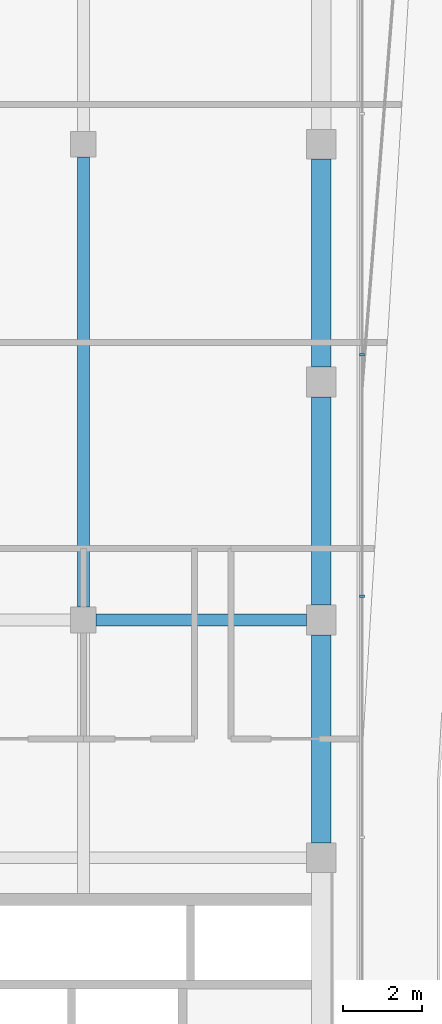
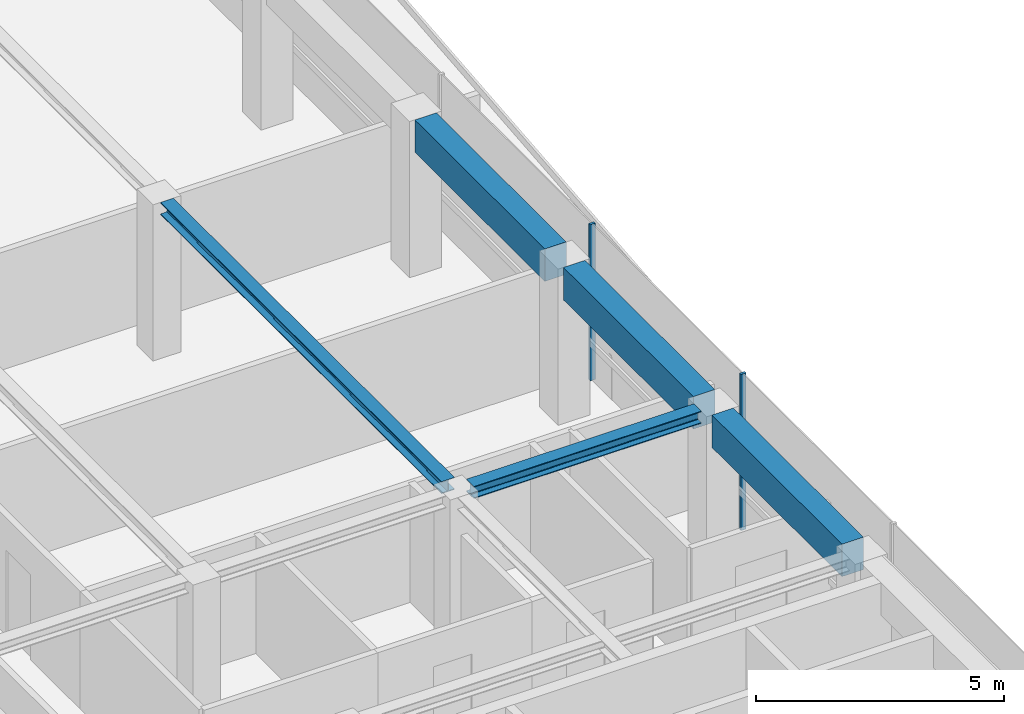
# One storey, part 7 of 18: 5 beams, 2 members, 1 element without a shape of its own.
"""IFC4 building model written with IfcOpenShell, lengths in metres."""

from ifc_helpers import new_model, si_unit, direction, frame, origin, origin_2d, place, context, subcontext, project, spatial, rectangle, i_section, extrude, material, layer, layer_set, material_profile, profile_set, type_object, element, aggregate, save


model = new_model("IFC4")

# Units and contexts
model_context = context("Model", 3, precision=1e-05, world=origin(), true_north=direction((0.0, 1.0)))
body_context = subcontext(model_context, "Body", "Model", "MODEL_VIEW")
ifc_project = project(units=[si_unit("LENGTHUNIT", "METRE"), si_unit("AREAUNIT", "SQUARE_METRE"), si_unit("VOLUMEUNIT", "CUBIC_METRE"), si_unit("PLANEANGLEUNIT", "RADIAN"), si_unit("MASSUNIT", "GRAM", prefix="KILO")], contexts=[model_context])

# Site, building, storey
site_placement = place(None, origin())
site = spatial("IfcSite", under=ifc_project, at=site_placement, CompositionType="ELEMENT")
building_placement = place(site_placement, origin())
building = spatial("IfcBuilding", under=site, at=building_placement, Name="Welwitschia Terrace Campus", CompositionType="ELEMENT")
storey_placement = place(building_placement, frame((0.0, 0.0, 272.60009765625)))
storey = spatial("IfcBuildingStorey", under=building, at=storey_placement, Name="L60", CompositionType="ELEMENT", Elevation=272.60009765625)

# Beams
ifc_material_1 = material(Name="Steel S355", Category="steel")
ifc_material_profile_1 = material_profile(ifc_material_1, i_section(OverallWidth=0.300048828125, OverallDepth=0.300048828125, WebThickness=0.010986328125, FlangeThickness=0.01904296875, FilletRadius=0.027099609375, at=origin_2d()))
ifc_profile_set_1 = profile_set([ifc_material_profile_1], Name="Steel S355")
beam_type_1 = type_object("IfcBeamType", Name="Interior girder HE 300 B", PredefinedType="BEAM", material=ifc_profile_set_1)
beam_1_placement = place(storey_placement, frame((18.325439453125, 32.0, 3.699951171875), z_axis=(1.0, 0.0, 0.0), x_axis=(0.0, 1.0, 0.0)))
element("IfcBeam", 1, at=beam_1_placement, inside=storey, type_object=beam_type_1, Name="Girder GB6", PredefinedType="BEAM", context=body_context, shape_type="SweptSolid", body=[
    extrude(i_section(OverallWidth=0.300048828125, OverallDepth=0.300048828125, WebThickness=0.010986328125, FlangeThickness=0.01904296875, FilletRadius=0.027099609375, at=origin_2d()), origin(), (0.0, 0.0, 1.0), 5.30908203125),
])
beam_2_placement = place(storey_placement, frame((18.0, 32.325439453125, 3.699951171875), z_axis=(0.0, 1.0, 0.0), x_axis=(-1.0, 0.0, 0.0)))
element("IfcBeam", 2, at=beam_2_placement, inside=storey, type_object=beam_type_1, Name="Girder GB6", PredefinedType="BEAM", context=body_context, shape_type="SweptSolid", body=[
    extrude(i_section(OverallWidth=0.300048828125, OverallDepth=0.300048828125, WebThickness=0.010986328125, FlangeThickness=0.01904296875, FilletRadius=0.027099609375, at=origin_2d()), origin(), (0.0, 0.0, 1.0), 11.34912109375),
])

# Curtain wall, members
ifc_material_2 = material(Name="Bronze anodised aluminium", Category="aluminium")
ifc_layer = layer(ifc_material_2, 0.1201171875)
ifc_layer_set = layer_set([ifc_layer], Name="Bronze anodised aluminium")
curtain_wall_type = type_object("IfcCurtainWallType", Name="Curtain wall CW2 tower 6000", PredefinedType="NOTDEFINED", material=ifc_layer_set)
curtain_wall_placement = place(storey_placement, origin())
curtain_wall = element("IfcCurtainWall", 3, at=curtain_wall_placement, inside=storey, type_object=curtain_wall_type, Name="CW L60.7.0", PredefinedType="NOTDEFINED")
ifc_material_3 = material(Name="Bronze anodised aluminium", Category="aluminium")
ifc_material_profile_2 = material_profile(ifc_material_3, rectangle(XDim=0.1201171875, YDim=0.06005859375, at=origin_2d()))
ifc_profile_set_2 = profile_set([ifc_material_profile_2], Name="Bronze anodised aluminium")
member_type = type_object("IfcMemberType", Name="Mullion 60x120", PredefinedType="MULLION", material=ifc_profile_set_2)
member_1_placement = place(storey_placement, frame((25.030029296875, 32.59912109375, 0.0), z_axis=(0.0, 0.0, 1.0), x_axis=(-1.0, 0.0, 0.0)))
member_1 = element("IfcMember", 4, at=member_1_placement, type_object=member_type, Name="Mullion L60.7.0.2", PredefinedType="MULLION", context=body_context, shape_type="SweptSolid", body=[
    extrude(rectangle(XDim=0.1201171875, YDim=0.06005859375, at=origin_2d()), origin(), (0.0, 0.0, 1.0), 3.849853515625),
])
member_2_placement = place(storey_placement, frame((25.030029296875, 38.685302734375, 0.0), z_axis=(0.0, 0.0, 1.0), x_axis=(-1.0, 0.0, 0.0)))
member_2 = element("IfcMember", 5, at=member_2_placement, type_object=member_type, Name="Mullion L60.7.0.3", PredefinedType="MULLION", context=body_context, shape_type="SweptSolid", body=[
    extrude(rectangle(XDim=0.1201171875, YDim=0.06005859375, at=origin_2d()), origin(), (0.0, 0.0, 1.0), 3.849853515625),
])
aggregate(curtain_wall, [member_1, member_2])

# Beams
ifc_material_4 = material(Name="Concrete C50/60", Category="concrete")
ifc_material_profile_3 = material_profile(ifc_material_4, rectangle(XDim=0.5, YDim=0.800048828125, at=origin_2d()))
ifc_profile_set_3 = profile_set([ifc_material_profile_3], Name="Concrete C50/60")
beam_type_2 = type_object("IfcBeamType", Name="Ring spandrel 500x800", PredefinedType="SPANDREL", material=ifc_profile_set_3)
for number, where, z_axis, x_axis, name in (
    (6, (24.0, 26.37548828125, 3.449951171875), (0.0, 1.0, 0.0), (-1.0, 0.0, 0.0), "Spandrel SP4"),
    (7, (24.0, 32.37548828125, 3.449951171875), (0.0, 1.0, 0.0), (-1.0, 0.0, 0.0), "Spandrel SP4"),
    (8, (24.0, 38.37548828125, 3.449951171875), (0.0, 1.0, 0.0), (-1.0, 0.0, 0.0), "Spandrel SP4"),
):
    element("IfcBeam", number, at=place(storey_placement, frame(where, z_axis=z_axis, x_axis=x_axis)), inside=storey, type_object=beam_type_2, Name=name, PredefinedType="SPANDREL", context=body_context, shape_type="SweptSolid", body=[
        extrude(rectangle(XDim=0.5, YDim=0.800048828125, at=origin_2d()), origin(), (0.0, 0.0, 1.0), 5.2490234375),
    ])

save(model, "model.ifc")
